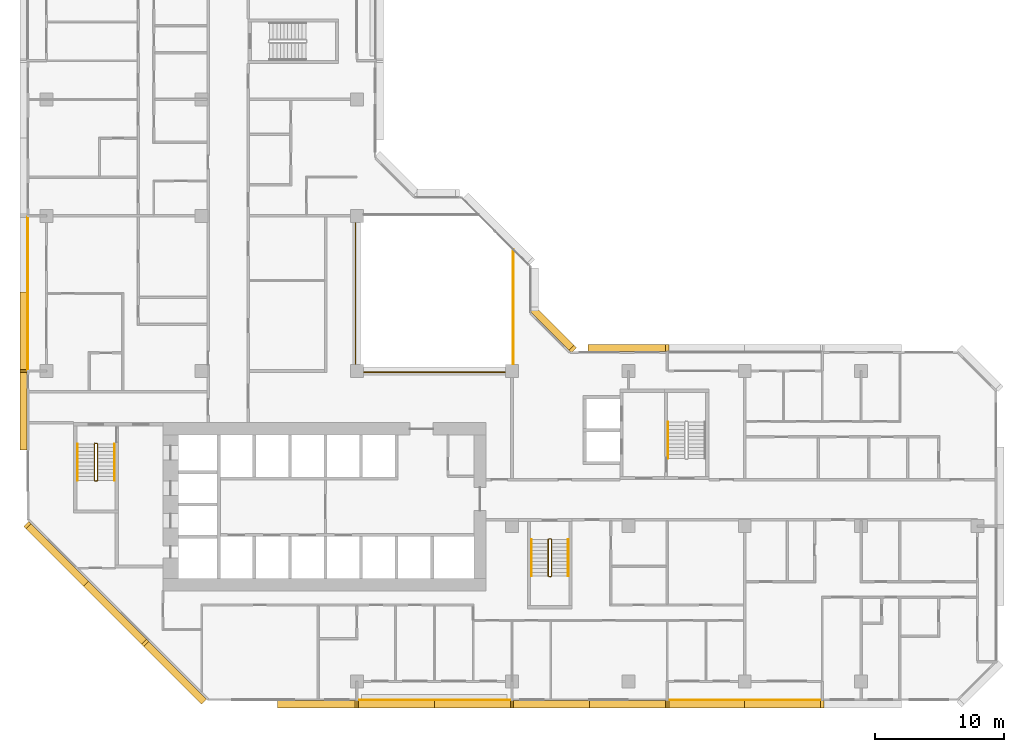
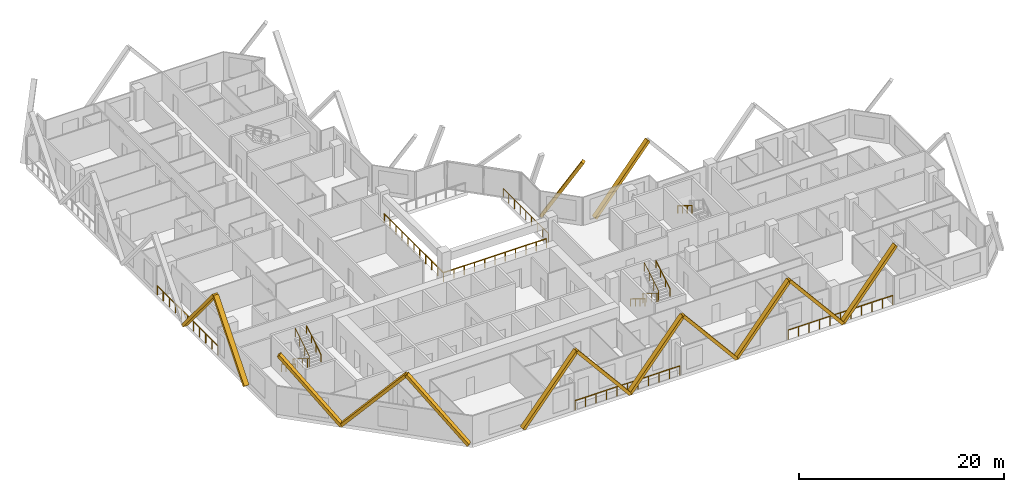
# One storey, part 14 of 15: 14 coverings, 12 railings.
"""IFC4 building model written with IfcOpenShell, lengths in metres."""

from ifc_helpers import new_model, si_unit, direction, frame, origin, origin_2d, place, context, subcontext, project, spatial, rectangle, extrude, material, material_profile, profile_set, type_object, element, save


model = new_model("IFC4")

# Units and contexts
model_context = context("Model", 3, precision=1e-05, world=origin(), true_north=direction((0.0, 1.0)))
body_context = subcontext(model_context, "Body", "Model", "MODEL_VIEW")
ifc_project = project(units=[si_unit("LENGTHUNIT", "METRE"), si_unit("AREAUNIT", "SQUARE_METRE"), si_unit("VOLUMEUNIT", "CUBIC_METRE"), si_unit("PLANEANGLEUNIT", "RADIAN"), si_unit("MASSUNIT", "GRAM", prefix="KILO")], contexts=[model_context])

# Site, building, storey
site_placement = place(None, origin())
site = spatial("IfcSite", under=ifc_project, at=site_placement, CompositionType="ELEMENT")
building_placement = place(site_placement, origin())
building = spatial("IfcBuilding", under=site, at=building_placement, Name="Chenar Terraces", CompositionType="ELEMENT")
storey_placement = place(building_placement, frame((0.0, 0.0, 121.89990234375)))
storey = spatial("IfcBuildingStorey", under=building, at=storey_placement, Name="L28", CompositionType="ELEMENT", Elevation=121.89990234375)

# Railings
ifc_material_1 = material(Name="Powder-coated steel", Category="steel")
railing_type_1 = type_object("IfcRailingType", Name="Guard 1100 steel rail with glass infill", PredefinedType="GUARDRAIL", material=ifc_material_1)
railing_1_placement = place(storey_placement, frame((23.89990234375, 35.5, 0.0)))
element("IfcRailing", 1, at=railing_1_placement, inside=storey, type_object=railing_type_1, Name="Guard L28-1", PredefinedType="GUARDRAIL", context=body_context, shape_type="SweptSolid", body=[
    extrude(rectangle(XDim=0.06005859375, YDim=0.06005859375, at=origin_2d()), frame((0.0, 0.0, 1.070068359375), z_axis=(0.0, -1.0, 0.0), x_axis=(1.0, 0.0, 0.0)), (0.0, 0.0, 1.0), 11.60009765625),
    extrude(rectangle(XDim=0.06005859375, YDim=0.06005859375, at=origin_2d()), frame((0.0, -11.60009765625, 1.070068359375), z_axis=(1.0, 0.0, 0.0), x_axis=(0.0, 1.0, 0.0)), (0.0, 0.0, 1.0), 11.60009765625),
    extrude(rectangle(XDim=0.050048828125, YDim=0.050048828125, at=origin_2d()), origin(), (0.0, 0.0, 1.0), 1.0400390625),
    extrude(rectangle(XDim=0.050048828125, YDim=0.050048828125, at=origin_2d()), frame((0.0, -1.159912109375, 0.0)), (0.0, 0.0, 1.0), 1.0400390625),
    extrude(rectangle(XDim=0.050048828125, YDim=0.050048828125, at=origin_2d()), frame((0.0, -2.320068359375, 0.0)), (0.0, 0.0, 1.0), 1.0400390625),
    extrude(rectangle(XDim=0.050048828125, YDim=0.050048828125, at=origin_2d()), frame((0.0, -3.47998046875, 0.0)), (0.0, 0.0, 1.0), 1.0400390625),
    extrude(rectangle(XDim=0.050048828125, YDim=0.050048828125, at=origin_2d()), frame((0.0, -4.64013671875, 0.0)), (0.0, 0.0, 1.0), 1.0400390625),
    extrude(rectangle(XDim=0.050048828125, YDim=0.050048828125, at=origin_2d()), frame((0.0, -5.800048828125, 0.0)), (0.0, 0.0, 1.0), 1.0400390625),
    extrude(rectangle(XDim=0.050048828125, YDim=0.050048828125, at=origin_2d()), frame((0.0, -6.9599609375, 0.0)), (0.0, 0.0, 1.0), 1.0400390625),
    extrude(rectangle(XDim=0.050048828125, YDim=0.050048828125, at=origin_2d()), frame((0.0, -8.1201171875, 0.0)), (0.0, 0.0, 1.0), 1.0400390625),
    extrude(rectangle(XDim=0.050048828125, YDim=0.050048828125, at=origin_2d()), frame((0.0, -9.280029296875, 0.0)), (0.0, 0.0, 1.0), 1.0400390625),
    extrude(rectangle(XDim=0.050048828125, YDim=0.050048828125, at=origin_2d()), frame((0.0, -10.440185546875, 0.0)), (0.0, 0.0, 1.0), 1.0400390625),
    extrude(rectangle(XDim=0.050048828125, YDim=0.050048828125, at=origin_2d()), frame((0.0, -11.60009765625, 0.0)), (0.0, 0.0, 1.0), 1.0400390625),
    extrude(rectangle(XDim=0.050048828125, YDim=0.050048828125, at=origin_2d()), frame((1.159912109375, -11.60009765625, 0.0)), (0.0, 0.0, 1.0), 1.0400390625),
    extrude(rectangle(XDim=0.050048828125, YDim=0.050048828125, at=origin_2d()), frame((2.320068359375, -11.60009765625, 0.0)), (0.0, 0.0, 1.0), 1.0400390625),
    extrude(rectangle(XDim=0.050048828125, YDim=0.050048828125, at=origin_2d()), frame((3.47998046875, -11.60009765625, 0.0)), (0.0, 0.0, 1.0), 1.0400390625),
    extrude(rectangle(XDim=0.050048828125, YDim=0.050048828125, at=origin_2d()), frame((4.64013671875, -11.60009765625, 0.0)), (0.0, 0.0, 1.0), 1.0400390625),
    extrude(rectangle(XDim=0.050048828125, YDim=0.050048828125, at=origin_2d()), frame((5.800048828125, -11.60009765625, 0.0)), (0.0, 0.0, 1.0), 1.0400390625),
    extrude(rectangle(XDim=0.050048828125, YDim=0.050048828125, at=origin_2d()), frame((6.9599609375, -11.60009765625, 0.0)), (0.0, 0.0, 1.0), 1.0400390625),
    extrude(rectangle(XDim=0.050048828125, YDim=0.050048828125, at=origin_2d()), frame((8.1201171875, -11.60009765625, 0.0)), (0.0, 0.0, 1.0), 1.0400390625),
    extrude(rectangle(XDim=0.050048828125, YDim=0.050048828125, at=origin_2d()), frame((9.280029296875, -11.60009765625, 0.0)), (0.0, 0.0, 1.0), 1.0400390625),
    extrude(rectangle(XDim=0.050048828125, YDim=0.050048828125, at=origin_2d()), frame((10.440185546875, -11.60009765625, 0.0)), (0.0, 0.0, 1.0), 1.0400390625),
    extrude(rectangle(XDim=0.050048828125, YDim=0.050048828125, at=origin_2d()), frame((11.60009765625, -11.60009765625, 0.0)), (0.0, 0.0, 1.0), 1.0400390625),
])
railing_2_placement = place(storey_placement, frame((36.10009765625, 24.550048828125, 0.0)))
element("IfcRailing", 2, at=railing_2_placement, inside=storey, type_object=railing_type_1, Name="Guard L28-3", PredefinedType="GUARDRAIL", context=body_context, shape_type="SweptSolid", body=[
    extrude(rectangle(XDim=0.06005859375, YDim=0.06005859375, at=origin_2d()), frame((0.0, 0.0, 1.070068359375), z_axis=(0.0, 1.0, 0.0), x_axis=(-1.0, 0.0, 0.0)), (0.0, 0.0, 1.0), 8.849853515625),
    extrude(rectangle(XDim=0.050048828125, YDim=0.050048828125, at=origin_2d()), origin(), (0.0, 0.0, 1.0), 1.0400390625),
    extrude(rectangle(XDim=0.050048828125, YDim=0.050048828125, at=origin_2d()), frame((0.0, 1.106201171875, 0.0)), (0.0, 0.0, 1.0), 1.0400390625),
    extrude(rectangle(XDim=0.050048828125, YDim=0.050048828125, at=origin_2d()), frame((0.0, 2.21240234375, 0.0)), (0.0, 0.0, 1.0), 1.0400390625),
    extrude(rectangle(XDim=0.050048828125, YDim=0.050048828125, at=origin_2d()), frame((0.0, 3.318603515625, 0.0)), (0.0, 0.0, 1.0), 1.0400390625),
    extrude(rectangle(XDim=0.050048828125, YDim=0.050048828125, at=origin_2d()), frame((0.0, 4.4248046875, 0.0)), (0.0, 0.0, 1.0), 1.0400390625),
    extrude(rectangle(XDim=0.050048828125, YDim=0.050048828125, at=origin_2d()), frame((0.0, 5.53125, 0.0)), (0.0, 0.0, 1.0), 1.0400390625),
    extrude(rectangle(XDim=0.050048828125, YDim=0.050048828125, at=origin_2d()), frame((0.0, 6.637451171875, 0.0)), (0.0, 0.0, 1.0), 1.0400390625),
    extrude(rectangle(XDim=0.050048828125, YDim=0.050048828125, at=origin_2d()), frame((0.0, 7.74365234375, 0.0)), (0.0, 0.0, 1.0), 1.0400390625),
    extrude(rectangle(XDim=0.050048828125, YDim=0.050048828125, at=origin_2d()), frame((0.0, 8.849853515625, 0.0)), (0.0, 0.0, 1.0), 1.0400390625),
])
ifc_material_2 = material(Name="Stainless steel and glass", Category="steel")
railing_type_2 = type_object("IfcRailingType", Name="Loggia guard 1150", PredefinedType="GUARDRAIL", material=ifc_material_2)
railing_3_placement = place(storey_placement, frame((24.074951171875, -1.449951171875, 0.0)))
element("IfcRailing", 3, at=railing_3_placement, inside=storey, type_object=railing_type_2, Name="Loggia guard", PredefinedType="GUARDRAIL", context=body_context, shape_type="SweptSolid", body=[
    extrude(rectangle(XDim=0.048095703125, YDim=0.048095703125, at=origin_2d()), frame((0.0, 0.0, 1.1259765625), z_axis=(1.0, 0.0, 0.0), x_axis=(0.0, 1.0, 0.0)), (0.0, 0.0, 1.0), 11.85009765625),
    extrude(rectangle(XDim=0.0419921875, YDim=0.0419921875, at=origin_2d()), origin(), (0.0, 0.0, 1.0), 1.101806640625),
    extrude(rectangle(XDim=0.0419921875, YDim=0.0419921875, at=origin_2d()), frame((1.18505859375, 0.0, 0.0)), (0.0, 0.0, 1.0), 1.101806640625),
    extrude(rectangle(XDim=0.0419921875, YDim=0.0419921875, at=origin_2d()), frame((2.3701171875, 0.0, 0.0)), (0.0, 0.0, 1.0), 1.101806640625),
    extrude(rectangle(XDim=0.0419921875, YDim=0.0419921875, at=origin_2d()), frame((3.554931640625, 0.0, 0.0)), (0.0, 0.0, 1.0), 1.101806640625),
    extrude(rectangle(XDim=0.0419921875, YDim=0.0419921875, at=origin_2d()), frame((4.739990234375, 0.0, 0.0)), (0.0, 0.0, 1.0), 1.101806640625),
    extrude(rectangle(XDim=0.0419921875, YDim=0.0419921875, at=origin_2d()), frame((5.925048828125, 0.0, 0.0)), (0.0, 0.0, 1.0), 1.101806640625),
    extrude(rectangle(XDim=0.0419921875, YDim=0.0419921875, at=origin_2d()), frame((7.110107421875, 0.0, 0.0)), (0.0, 0.0, 1.0), 1.101806640625),
    extrude(rectangle(XDim=0.0419921875, YDim=0.0419921875, at=origin_2d()), frame((8.295166015625, 0.0, 0.0)), (0.0, 0.0, 1.0), 1.101806640625),
    extrude(rectangle(XDim=0.0419921875, YDim=0.0419921875, at=origin_2d()), frame((9.47998046875, 0.0, 0.0)), (0.0, 0.0, 1.0), 1.101806640625),
    extrude(rectangle(XDim=0.0419921875, YDim=0.0419921875, at=origin_2d()), frame((10.6650390625, 0.0, 0.0)), (0.0, 0.0, 1.0), 1.101806640625),
    extrude(rectangle(XDim=0.0419921875, YDim=0.0419921875, at=origin_2d()), frame((11.85009765625, 0.0, 0.0)), (0.0, 0.0, 1.0), 1.101806640625),
])
railing_4_placement = place(storey_placement, frame((48.074951171875, -1.449951171875, 0.0)))
element("IfcRailing", 4, at=railing_4_placement, inside=storey, type_object=railing_type_2, Name="Loggia guard", PredefinedType="GUARDRAIL", context=body_context, shape_type="SweptSolid", body=[
    extrude(rectangle(XDim=0.048095703125, YDim=0.048095703125, at=origin_2d()), frame((0.0, 0.0, 1.1259765625), z_axis=(1.0, 0.0, 0.0), x_axis=(0.0, 1.0, 0.0)), (0.0, 0.0, 1.0), 11.85009765625),
    extrude(rectangle(XDim=0.0419921875, YDim=0.0419921875, at=origin_2d()), origin(), (0.0, 0.0, 1.0), 1.101806640625),
    extrude(rectangle(XDim=0.0419921875, YDim=0.0419921875, at=origin_2d()), frame((1.18505859375, 0.0, 0.0)), (0.0, 0.0, 1.0), 1.101806640625),
    extrude(rectangle(XDim=0.0419921875, YDim=0.0419921875, at=origin_2d()), frame((2.3701171875, 0.0, 0.0)), (0.0, 0.0, 1.0), 1.101806640625),
    extrude(rectangle(XDim=0.0419921875, YDim=0.0419921875, at=origin_2d()), frame((3.554931640625, 0.0, 0.0)), (0.0, 0.0, 1.0), 1.101806640625),
    extrude(rectangle(XDim=0.0419921875, YDim=0.0419921875, at=origin_2d()), frame((4.739990234375, 0.0, 0.0)), (0.0, 0.0, 1.0), 1.101806640625),
    extrude(rectangle(XDim=0.0419921875, YDim=0.0419921875, at=origin_2d()), frame((5.925048828125, 0.0, 0.0)), (0.0, 0.0, 1.0), 1.101806640625),
    extrude(rectangle(XDim=0.0419921875, YDim=0.0419921875, at=origin_2d()), frame((7.110107421875, 0.0, 0.0)), (0.0, 0.0, 1.0), 1.101806640625),
    extrude(rectangle(XDim=0.0419921875, YDim=0.0419921875, at=origin_2d()), frame((8.295166015625, 0.0, 0.0)), (0.0, 0.0, 1.0), 1.101806640625),
    extrude(rectangle(XDim=0.0419921875, YDim=0.0419921875, at=origin_2d()), frame((9.47998046875, 0.0, 0.0)), (0.0, 0.0, 1.0), 1.101806640625),
    extrude(rectangle(XDim=0.0419921875, YDim=0.0419921875, at=origin_2d()), frame((10.6650390625, 0.0, 0.0)), (0.0, 0.0, 1.0), 1.101806640625),
    extrude(rectangle(XDim=0.0419921875, YDim=0.0419921875, at=origin_2d()), frame((11.85009765625, 0.0, 0.0)), (0.0, 0.0, 1.0), 1.101806640625),
])
railing_5_placement = place(storey_placement, frame((-1.449951171875, 35.925048828125, 0.0)))
element("IfcRailing", 5, at=railing_5_placement, inside=storey, type_object=railing_type_2, Name="Loggia guard", PredefinedType="GUARDRAIL", context=body_context, shape_type="SweptSolid", body=[
    extrude(rectangle(XDim=0.048095703125, YDim=0.048095703125, at=origin_2d()), frame((0.0, 0.0, 1.1259765625), z_axis=(0.0, -1.0, 0.0), x_axis=(1.0, 0.0, 0.0)), (0.0, 0.0, 1.0), 11.85009765625),
    extrude(rectangle(XDim=0.0419921875, YDim=0.0419921875, at=origin_2d()), origin(), (0.0, 0.0, 1.0), 1.101806640625),
    extrude(rectangle(XDim=0.0419921875, YDim=0.0419921875, at=origin_2d()), frame((0.0, -1.18505859375, 0.0)), (0.0, 0.0, 1.0), 1.101806640625),
    extrude(rectangle(XDim=0.0419921875, YDim=0.0419921875, at=origin_2d()), frame((0.0, -2.3701171875, 0.0)), (0.0, 0.0, 1.0), 1.101806640625),
    extrude(rectangle(XDim=0.0419921875, YDim=0.0419921875, at=origin_2d()), frame((0.0, -3.554931640625, 0.0)), (0.0, 0.0, 1.0), 1.101806640625),
    extrude(rectangle(XDim=0.0419921875, YDim=0.0419921875, at=origin_2d()), frame((0.0, -4.739990234375, 0.0)), (0.0, 0.0, 1.0), 1.101806640625),
    extrude(rectangle(XDim=0.0419921875, YDim=0.0419921875, at=origin_2d()), frame((0.0, -5.925048828125, 0.0)), (0.0, 0.0, 1.0), 1.101806640625),
    extrude(rectangle(XDim=0.0419921875, YDim=0.0419921875, at=origin_2d()), frame((0.0, -7.110107421875, 0.0)), (0.0, 0.0, 1.0), 1.101806640625),
    extrude(rectangle(XDim=0.0419921875, YDim=0.0419921875, at=origin_2d()), frame((0.0, -8.295166015625, 0.0)), (0.0, 0.0, 1.0), 1.101806640625),
    extrude(rectangle(XDim=0.0419921875, YDim=0.0419921875, at=origin_2d()), frame((0.0, -9.47998046875, 0.0)), (0.0, 0.0, 1.0), 1.101806640625),
    extrude(rectangle(XDim=0.0419921875, YDim=0.0419921875, at=origin_2d()), frame((0.0, -10.6650390625, 0.0)), (0.0, 0.0, 1.0), 1.101806640625),
    extrude(rectangle(XDim=0.0419921875, YDim=0.0419921875, at=origin_2d()), frame((0.0, -11.85009765625, 0.0)), (0.0, 0.0, 1.0), 1.101806640625),
])
ifc_material_3 = material(Name="Powder-coated steel", Category="steel")
railing_type_3 = type_object("IfcRailingType", Name="Stair guard 1100", PredefinedType="GUARDRAIL", material=ifc_material_3)
railing_6_placement = place(storey_placement, frame((3.949951171875, 18.35009765625, 3.75)))
element("IfcRailing", 6, at=railing_6_placement, inside=storey, type_object=railing_type_3, Name="L28 ST1 stair guard 1", PredefinedType="GUARDRAIL", context=body_context, shape_type="SweptSolid", body=[
    extrude(rectangle(XDim=0.048095703125, YDim=0.048095703125, at=origin_2d()), frame((0.0, 0.0, 1.076171875), z_axis=(0.0, -0.854202870247, -0.519939858505), x_axis=(1.0, 0.0, 0.0)), (0.0, 0.0, 1.0), 3.278076171875),
    extrude(rectangle(XDim=0.048095703125, YDim=0.048095703125, at=origin_2d()), frame((0.0, -2.800048828125, -0.62841796875), z_axis=(-0.270899902878, -0.270899902878, -0.923702595667), x_axis=(0.707106781187, -0.707106781187, 0.0)), (0.0, 0.0, 1.0), 0.184814453125),
    extrude(rectangle(XDim=0.048095703125, YDim=0.048095703125, at=origin_2d()), frame((-0.050048828125, -2.85009765625, -0.798828125), z_axis=(-1.0, 0.0, 0.0), x_axis=(0.0, -1.0, 0.0)), (0.0, 0.0, 1.0), 0.14990234375),
    extrude(rectangle(XDim=0.048095703125, YDim=0.048095703125, at=origin_2d()), frame((-0.199951171875, -2.85009765625, -0.798828125), z_axis=(-0.707106781187, 0.707106781187, 0.0), x_axis=(-0.707106781187, -0.707106781187, 0.0)), (0.0, 0.0, 1.0), 0.07080078125),
    extrude(rectangle(XDim=0.048095703125, YDim=0.048095703125, at=origin_2d()), frame((-0.25, -2.800048828125, -0.798828125), z_axis=(0.0, 0.854202870247, -0.519939858505), x_axis=(-1.0, 0.0, 0.0)), (0.0, 0.0, 1.0), 3.278076171875),
    extrude(rectangle(XDim=0.048095703125, YDim=0.048095703125, at=origin_2d()), frame((-0.25, 0.0, -2.50341796875), z_axis=(0.270996696079, 0.269674760976, -0.924032636873), x_axis=(-0.705375805398, 0.708833529934, 0.0)), (0.0, 0.0, 1.0), 0.1845703125),
    extrude(rectangle(XDim=0.048095703125, YDim=0.048095703125, at=origin_2d()), frame((-0.199951171875, 0.0498046875, -2.673828125), z_axis=(1.0, 0.0, 0.0), x_axis=(0.0, 1.0, 0.0)), (0.0, 0.0, 1.0), 0.14990234375),
    extrude(rectangle(XDim=0.0419921875, YDim=0.0419921875, at=origin_2d()), origin(), (0.0, 0.0, 1.0), 1.052001953125),
    extrude(rectangle(XDim=0.0419921875, YDim=0.0419921875, at=origin_2d()), frame((0.0, -0.933349609375, -0.568115234375)), (0.0, 0.0, 1.0), 1.052001953125),
    extrude(rectangle(XDim=0.0419921875, YDim=0.0419921875, at=origin_2d()), frame((0.0, -1.86669921875, -1.13623046875)), (0.0, 0.0, 1.0), 1.052001953125),
    extrude(rectangle(XDim=0.0419921875, YDim=0.0419921875, at=origin_2d()), frame((0.0, -2.800048828125, -1.704345703125)), (0.0, 0.0, 1.0), 1.052001953125),
    extrude(rectangle(XDim=0.0419921875, YDim=0.0419921875, at=origin_2d()), frame((-0.050048828125, -2.85009765625, -1.875)), (0.0, 0.0, 1.0), 1.052001953125),
    extrude(rectangle(XDim=0.0419921875, YDim=0.0419921875, at=origin_2d()), frame((-0.199951171875, -2.85009765625, -1.875)), (0.0, 0.0, 1.0), 1.052001953125),
    extrude(rectangle(XDim=0.0419921875, YDim=0.0419921875, at=origin_2d()), frame((-0.25, -2.800048828125, -1.875)), (0.0, 0.0, 1.0), 1.052001953125),
    extrude(rectangle(XDim=0.0419921875, YDim=0.0419921875, at=origin_2d()), frame((-0.25, -1.86669921875, -2.443115234375)), (0.0, 0.0, 1.0), 1.052001953125),
    extrude(rectangle(XDim=0.0419921875, YDim=0.0419921875, at=origin_2d()), frame((-0.25, -0.933349609375, -3.01123046875)), (0.0, 0.0, 1.0), 1.052001953125),
    extrude(rectangle(XDim=0.0419921875, YDim=0.0419921875, at=origin_2d()), frame((-0.25, 0.0, -3.579345703125)), (0.0, 0.0, 1.0), 1.052001953125),
    extrude(rectangle(XDim=0.0419921875, YDim=0.0419921875, at=origin_2d()), frame((-0.199951171875, 0.0498046875, -3.75)), (0.0, 0.0, 1.0), 1.052001953125),
    extrude(rectangle(XDim=0.0419921875, YDim=0.0419921875, at=origin_2d()), frame((-0.050048828125, 0.0498046875, -3.75)), (0.0, 0.0, 1.0), 1.052001953125),
])
railing_7_placement = place(storey_placement, frame((39.050048828125, 10.949951171875, 3.75)))
element("IfcRailing", 7, at=railing_7_placement, inside=storey, type_object=railing_type_3, Name="L28 ST2 stair guard 1", PredefinedType="GUARDRAIL", context=body_context, shape_type="SweptSolid", body=[
    extrude(rectangle(XDim=0.048095703125, YDim=0.048095703125, at=origin_2d()), frame((0.0, 0.0, 1.076171875), z_axis=(0.0, -0.854202870247, -0.519939858505), x_axis=(1.0, 0.0, 0.0)), (0.0, 0.0, 1.0), 3.278076171875),
    extrude(rectangle(XDim=0.048095703125, YDim=0.048095703125, at=origin_2d()), frame((0.0, -2.800048828125, -0.62841796875), z_axis=(-0.270996696079, -0.269674760976, -0.924032636873), x_axis=(0.705375805398, -0.708833529934, 0.0)), (0.0, 0.0, 1.0), 0.1845703125),
    extrude(rectangle(XDim=0.048095703125, YDim=0.048095703125, at=origin_2d()), frame((-0.050048828125, -2.849853515625, -0.798828125), z_axis=(-1.0, 0.0, 0.0), x_axis=(0.0, -1.0, 0.0)), (0.0, 0.0, 1.0), 0.14990234375),
    extrude(rectangle(XDim=0.048095703125, YDim=0.048095703125, at=origin_2d()), frame((-0.199951171875, -2.849853515625, -0.798828125), z_axis=(-0.708833529934, 0.705375805398, 0.0), x_axis=(-0.705375805398, -0.708833529934, 0.0)), (0.0, 0.0, 1.0), 0.070556640625),
    extrude(rectangle(XDim=0.048095703125, YDim=0.048095703125, at=origin_2d()), frame((-0.25, -2.800048828125, -0.798828125), z_axis=(0.0, 0.854202870247, -0.519939858505), x_axis=(-1.0, 0.0, 0.0)), (0.0, 0.0, 1.0), 3.278076171875),
    extrude(rectangle(XDim=0.048095703125, YDim=0.048095703125, at=origin_2d()), frame((-0.25, 0.0, -2.50341796875), z_axis=(0.270899902878, 0.270899902878, -0.923702595667), x_axis=(-0.707106781187, 0.707106781187, 0.0)), (0.0, 0.0, 1.0), 0.184814453125),
    extrude(rectangle(XDim=0.048095703125, YDim=0.048095703125, at=origin_2d()), frame((-0.199951171875, 0.050048828125, -2.673828125), z_axis=(1.0, 0.0, 0.0), x_axis=(0.0, 1.0, 0.0)), (0.0, 0.0, 1.0), 0.14990234375),
    extrude(rectangle(XDim=0.0419921875, YDim=0.0419921875, at=origin_2d()), origin(), (0.0, 0.0, 1.0), 1.052001953125),
    extrude(rectangle(XDim=0.0419921875, YDim=0.0419921875, at=origin_2d()), frame((0.0, -0.933349609375, -0.568115234375)), (0.0, 0.0, 1.0), 1.052001953125),
    extrude(rectangle(XDim=0.0419921875, YDim=0.0419921875, at=origin_2d()), frame((0.0, -1.86669921875, -1.13623046875)), (0.0, 0.0, 1.0), 1.052001953125),
    extrude(rectangle(XDim=0.0419921875, YDim=0.0419921875, at=origin_2d()), frame((0.0, -2.800048828125, -1.704345703125)), (0.0, 0.0, 1.0), 1.052001953125),
    extrude(rectangle(XDim=0.0419921875, YDim=0.0419921875, at=origin_2d()), frame((-0.050048828125, -2.849853515625, -1.875)), (0.0, 0.0, 1.0), 1.052001953125),
    extrude(rectangle(XDim=0.0419921875, YDim=0.0419921875, at=origin_2d()), frame((-0.199951171875, -2.849853515625, -1.875)), (0.0, 0.0, 1.0), 1.052001953125),
    extrude(rectangle(XDim=0.0419921875, YDim=0.0419921875, at=origin_2d()), frame((-0.25, -2.800048828125, -1.875)), (0.0, 0.0, 1.0), 1.052001953125),
    extrude(rectangle(XDim=0.0419921875, YDim=0.0419921875, at=origin_2d()), frame((-0.25, -1.86669921875, -2.443115234375)), (0.0, 0.0, 1.0), 1.052001953125),
    extrude(rectangle(XDim=0.0419921875, YDim=0.0419921875, at=origin_2d()), frame((-0.25, -0.933349609375, -3.01123046875)), (0.0, 0.0, 1.0), 1.052001953125),
    extrude(rectangle(XDim=0.0419921875, YDim=0.0419921875, at=origin_2d()), frame((-0.25, 0.0, -3.579345703125)), (0.0, 0.0, 1.0), 1.052001953125),
    extrude(rectangle(XDim=0.0419921875, YDim=0.0419921875, at=origin_2d()), frame((-0.199951171875, 0.050048828125, -3.75)), (0.0, 0.0, 1.0), 1.052001953125),
    extrude(rectangle(XDim=0.0419921875, YDim=0.0419921875, at=origin_2d()), frame((-0.050048828125, 0.050048828125, -3.75)), (0.0, 0.0, 1.0), 1.052001953125),
])
ifc_material_4 = material(Name="Powder-coated steel", Category="steel")
railing_type_4 = type_object("IfcRailingType", Name="Stair handrail 900", PredefinedType="HANDRAIL", material=ifc_material_4)
railing_8_placement = place(storey_placement, frame((2.39990234375, 18.35009765625, 0.170654296875)))
element("IfcRailing", 8, at=railing_8_placement, inside=storey, type_object=railing_type_4, Name="L28 ST1 stair handrail 1", PredefinedType="HANDRAIL", context=body_context, shape_type="SweptSolid", body=[
    extrude(rectangle(XDim=0.048095703125, YDim=0.048095703125, at=origin_2d()), frame((0.0, 0.0, 0.8759765625), z_axis=(0.0, -0.854202870247, 0.519939858505), x_axis=(1.0, 0.0, 0.0)), (0.0, 0.0, 1.0), 3.278076171875),
    extrude(rectangle(XDim=0.0419921875, YDim=0.0419921875, at=origin_2d()), origin(), (0.0, 0.0, 1.0), 0.851806640625),
    extrude(rectangle(XDim=0.0419921875, YDim=0.0419921875, at=origin_2d()), frame((0.0, -0.933349609375, 0.568115234375)), (0.0, 0.0, 1.0), 0.851806640625),
    extrude(rectangle(XDim=0.0419921875, YDim=0.0419921875, at=origin_2d()), frame((0.0, -1.86669921875, 1.13623046875)), (0.0, 0.0, 1.0), 0.851806640625),
    extrude(rectangle(XDim=0.0419921875, YDim=0.0419921875, at=origin_2d()), frame((0.0, -2.800048828125, 1.704345703125)), (0.0, 0.0, 1.0), 0.851806640625),
])
railing_9_placement = place(storey_placement, frame((5.25, 15.550048828125, 2.045654296875)))
element("IfcRailing", 9, at=railing_9_placement, inside=storey, type_object=railing_type_4, Name="L28 ST1 stair handrail 2", PredefinedType="HANDRAIL", context=body_context, shape_type="SweptSolid", body=[
    extrude(rectangle(XDim=0.048095703125, YDim=0.048095703125, at=origin_2d()), frame((0.0, 0.0, 0.8759765625), z_axis=(0.0, 0.854202870247, 0.519939858505), x_axis=(-1.0, 0.0, 0.0)), (0.0, 0.0, 1.0), 3.278076171875),
    extrude(rectangle(XDim=0.0419921875, YDim=0.0419921875, at=origin_2d()), origin(), (0.0, 0.0, 1.0), 0.851806640625),
    extrude(rectangle(XDim=0.0419921875, YDim=0.0419921875, at=origin_2d()), frame((0.0, 0.933349609375, 0.568115234375)), (0.0, 0.0, 1.0), 0.851806640625),
    extrude(rectangle(XDim=0.0419921875, YDim=0.0419921875, at=origin_2d()), frame((0.0, 1.86669921875, 1.13623046875)), (0.0, 0.0, 1.0), 0.851806640625),
    extrude(rectangle(XDim=0.0419921875, YDim=0.0419921875, at=origin_2d()), frame((0.0, 2.800048828125, 1.704345703125)), (0.0, 0.0, 1.0), 0.851806640625),
])
railing_10_placement = place(storey_placement, frame((37.5, 10.949951171875, 0.170654296875)))
element("IfcRailing", 10, at=railing_10_placement, inside=storey, type_object=railing_type_4, Name="L28 ST2 stair handrail 1", PredefinedType="HANDRAIL", context=body_context, shape_type="SweptSolid", body=[
    extrude(rectangle(XDim=0.048095703125, YDim=0.048095703125, at=origin_2d()), frame((0.0, 0.0, 0.8759765625), z_axis=(0.0, -0.854202870247, 0.519939858505), x_axis=(1.0, 0.0, 0.0)), (0.0, 0.0, 1.0), 3.278076171875),
    extrude(rectangle(XDim=0.0419921875, YDim=0.0419921875, at=origin_2d()), origin(), (0.0, 0.0, 1.0), 0.851806640625),
    extrude(rectangle(XDim=0.0419921875, YDim=0.0419921875, at=origin_2d()), frame((0.0, -0.933349609375, 0.568115234375)), (0.0, 0.0, 1.0), 0.851806640625),
    extrude(rectangle(XDim=0.0419921875, YDim=0.0419921875, at=origin_2d()), frame((0.0, -1.86669921875, 1.13623046875)), (0.0, 0.0, 1.0), 0.851806640625),
    extrude(rectangle(XDim=0.0419921875, YDim=0.0419921875, at=origin_2d()), frame((0.0, -2.800048828125, 1.704345703125)), (0.0, 0.0, 1.0), 0.851806640625),
])
railing_11_placement = place(storey_placement, frame((40.35009765625, 8.14990234375, 2.045654296875)))
element("IfcRailing", 11, at=railing_11_placement, inside=storey, type_object=railing_type_4, Name="L28 ST2 stair handrail 2", PredefinedType="HANDRAIL", context=body_context, shape_type="SweptSolid", body=[
    extrude(rectangle(XDim=0.048095703125, YDim=0.048095703125, at=origin_2d()), frame((0.0, 0.0, 0.8759765625), z_axis=(0.0, 0.854202870247, 0.519939858505), x_axis=(-1.0, 0.0, 0.0)), (0.0, 0.0, 1.0), 3.278076171875),
    extrude(rectangle(XDim=0.0419921875, YDim=0.0419921875, at=origin_2d()), origin(), (0.0, 0.0, 1.0), 0.851806640625),
    extrude(rectangle(XDim=0.0419921875, YDim=0.0419921875, at=origin_2d()), frame((0.0, 0.933349609375, 0.568115234375)), (0.0, 0.0, 1.0), 0.851806640625),
    extrude(rectangle(XDim=0.0419921875, YDim=0.0419921875, at=origin_2d()), frame((0.0, 1.86669921875, 1.13623046875)), (0.0, 0.0, 1.0), 0.851806640625),
    extrude(rectangle(XDim=0.0419921875, YDim=0.0419921875, at=origin_2d()), frame((0.0, 2.800048828125, 1.704345703125)), (0.0, 0.0, 1.0), 0.851806640625),
])
railing_12_placement = place(storey_placement, frame((48.074951171875, 20.050048828125, 2.045654296875)))
element("IfcRailing", 12, at=railing_12_placement, inside=storey, type_object=railing_type_4, Name="L28 ST3 stair handrail 2", PredefinedType="HANDRAIL", context=body_context, shape_type="SweptSolid", body=[
    extrude(rectangle(XDim=0.048095703125, YDim=0.048095703125, at=origin_2d()), frame((0.0, 0.0, 0.8759765625), z_axis=(0.0, -0.854202870247, 0.519939858505), x_axis=(1.0, 0.0, 0.0)), (0.0, 0.0, 1.0), 3.278076171875),
    extrude(rectangle(XDim=0.0419921875, YDim=0.0419921875, at=origin_2d()), origin(), (0.0, 0.0, 1.0), 0.851806640625),
    extrude(rectangle(XDim=0.0419921875, YDim=0.0419921875, at=origin_2d()), frame((0.0, -0.933349609375, 0.568115234375)), (0.0, 0.0, 1.0), 0.851806640625),
    extrude(rectangle(XDim=0.0419921875, YDim=0.0419921875, at=origin_2d()), frame((0.0, -1.86669921875, 1.13623046875)), (0.0, 0.0, 1.0), 0.851806640625),
    extrude(rectangle(XDim=0.0419921875, YDim=0.0419921875, at=origin_2d()), frame((0.0, -2.800048828125, 1.704345703125)), (0.0, 0.0, 1.0), 0.851806640625),
])

# Coverings
ifc_material_5 = material(Name="Terracotta", Category="masonry")
ifc_material_profile = material_profile(ifc_material_5, rectangle(XDim=0.550048828125, YDim=0.330078125, at=origin_2d()), Name="Terracotta baguette 550 x 330")
ifc_profile_set = profile_set([ifc_material_profile], Name="Terracotta")
covering_type = type_object("IfcCoveringType", Name="Terracotta baguette 550 x 330", PredefinedType="CLADDING", material=ifc_profile_set)
covering_1_placement = place(storey_placement, frame((48.0, 25.77490234375, 7.35009765625), z_axis=(-0.640186961885, 0.0, -0.768219144407), x_axis=(0.0, -1.0, 0.0)))
element("IfcCovering", 13, at=covering_1_placement, inside=storey, type_object=covering_type, Name="Terracotta baguette", PredefinedType="CLADDING", context=body_context, shape_type="SweptSolid", body=[
    extrude(rectangle(XDim=0.550048828125, YDim=0.330078125, at=origin_2d()), origin(), (0.0, 0.0, 1.0), 9.372314453125),
])
covering_2_placement = place(storey_placement, frame((40.6943359375, 25.6943359375, 7.35009765625), z_axis=(-0.358955436736, 0.358984650982, -0.861557319507), x_axis=(-0.70713555402, -0.707078007182, 0.0)))
element("IfcCovering", 14, at=covering_2_placement, inside=storey, type_object=covering_type, Name="Terracotta baguette", PredefinedType="CLADDING", context=body_context, shape_type="SweptSolid", body=[
    extrude(rectangle(XDim=0.550048828125, YDim=0.330078125, at=origin_2d()), origin(), (0.0, 0.0, 1.0), 8.35693359375),
])
for number, where, z_axis, x_axis, name in (
    (15, (-1.77490234375, 30.0, 0.150146484375), (0.0, -0.640186961885, 0.768219144407), (1.0, 0.0, 0.0), "Terracotta baguette"),
    (16, (-1.77490234375, 24.0, 7.35009765625), (0.0, -0.640186961885, -0.768219144407), (1.0, 0.0, 0.0), "Terracotta baguette"),
):
    element("IfcCovering", number, at=place(storey_placement, frame(where, z_axis=z_axis, x_axis=x_axis)), inside=storey, type_object=covering_type, Name=name, PredefinedType="CLADDING", context=body_context, shape_type="SweptSolid", body=[
        extrude(rectangle(XDim=0.550048828125, YDim=0.330078125, at=origin_2d()), origin(), (0.0, 0.0, 1.0), 9.372314453125),
    ])
covering_3_placement = place(storey_placement, frame((-1.482421875, 12.093505859375, 7.35009765625), z_axis=(0.465624035565, -0.465624035565, -0.752587878595), x_axis=(0.707106781187, 0.707106781187, 0.0)))
element("IfcCovering", 17, at=covering_3_placement, inside=storey, type_object=covering_type, Name="Terracotta baguette", PredefinedType="CLADDING", context=body_context, shape_type="SweptSolid", body=[
    extrude(rectangle(XDim=0.550048828125, YDim=0.330078125, at=origin_2d()), origin(), (0.0, 0.0, 1.0), 9.56689453125),
])
covering_4_placement = place(storey_placement, frame((2.97216796875, 7.638916015625, 0.150146484375), z_axis=(0.477802509271, -0.477802509271, 0.73716315987), x_axis=(0.707106781187, 0.707106781187, 0.0)))
element("IfcCovering", 18, at=covering_4_placement, inside=storey, type_object=covering_type, Name="Terracotta baguette", PredefinedType="CLADDING", context=body_context, shape_type="SweptSolid", body=[
    extrude(rectangle(XDim=0.550048828125, YDim=0.330078125, at=origin_2d()), origin(), (0.0, 0.0, 1.0), 9.76708984375),
])
covering_5_placement = place(storey_placement, frame((7.638916015625, 2.97216796875, 7.35009765625), z_axis=(0.465624035565, -0.465624035565, -0.752587878595), x_axis=(0.707106781187, 0.707106781187, 0.0)))
element("IfcCovering", 19, at=covering_5_placement, inside=storey, type_object=covering_type, Name="Terracotta baguette", PredefinedType="CLADDING", context=body_context, shape_type="SweptSolid", body=[
    extrude(rectangle(XDim=0.550048828125, YDim=0.330078125, at=origin_2d()), origin(), (0.0, 0.0, 1.0), 9.56689453125),
])
for number, where, z_axis, x_axis, name in (
    (20, (18.0, -1.77490234375, 0.150146484375), (0.640186961885, 0.0, 0.768219144407), (0.0, 1.0, 0.0), "Terracotta baguette"),
    (21, (24.0, -1.77490234375, 7.35009765625), (0.640186961885, 0.0, -0.768219144407), (0.0, 1.0, 0.0), "Terracotta baguette"),
    (22, (30.0, -1.77490234375, 0.150146484375), (0.640186961885, 0.0, 0.768219144407), (0.0, 1.0, 0.0), "Terracotta baguette"),
    (23, (36.0, -1.77490234375, 7.35009765625), (0.640186961885, 0.0, -0.768219144407), (0.0, 1.0, 0.0), "Terracotta baguette"),
    (24, (42.0, -1.77490234375, 0.150146484375), (0.640186961885, 0.0, 0.768219144407), (0.0, 1.0, 0.0), "Terracotta baguette"),
    (25, (48.0, -1.77490234375, 7.35009765625), (0.640186961885, 0.0, -0.768219144407), (0.0, 1.0, 0.0), "Terracotta baguette"),
    (26, (54.0, -1.77490234375, 0.150146484375), (0.640186961885, 0.0, 0.768219144407), (0.0, 1.0, 0.0), "Terracotta baguette"),
):
    element("IfcCovering", number, at=place(storey_placement, frame(where, z_axis=z_axis, x_axis=x_axis)), inside=storey, type_object=covering_type, Name=name, PredefinedType="CLADDING", context=body_context, shape_type="SweptSolid", body=[
        extrude(rectangle(XDim=0.550048828125, YDim=0.330078125, at=origin_2d()), origin(), (0.0, 0.0, 1.0), 9.372314453125),
    ])

save(model, "model.ifc")
